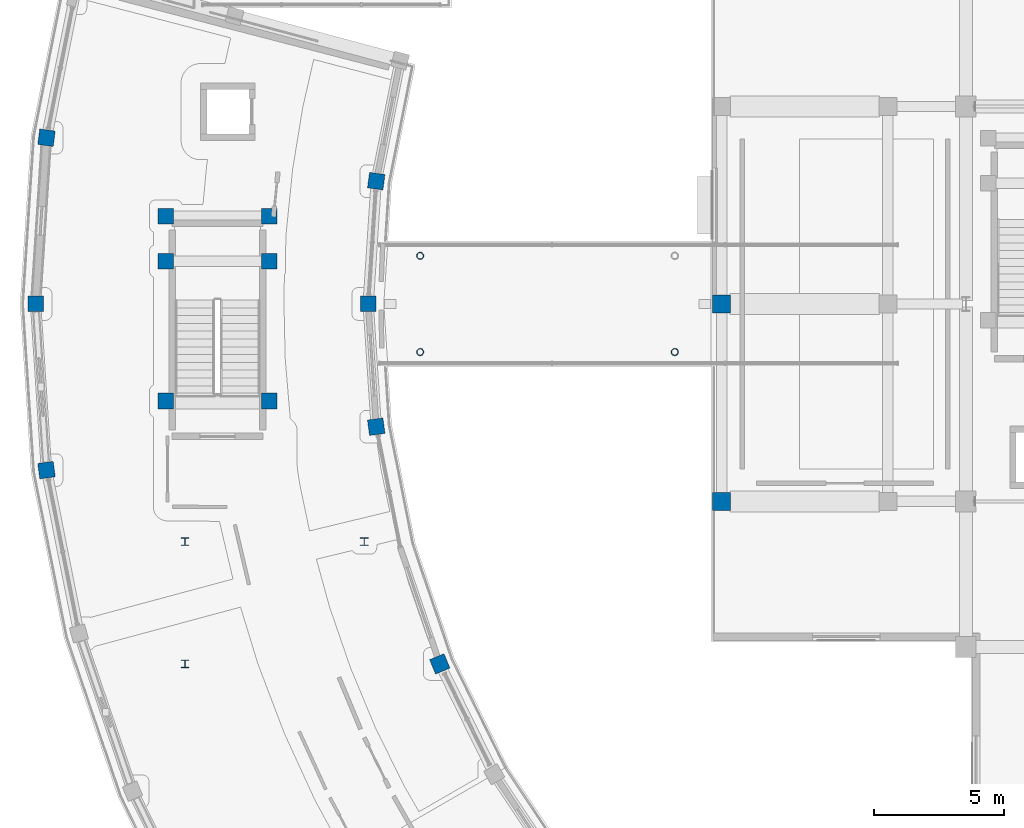
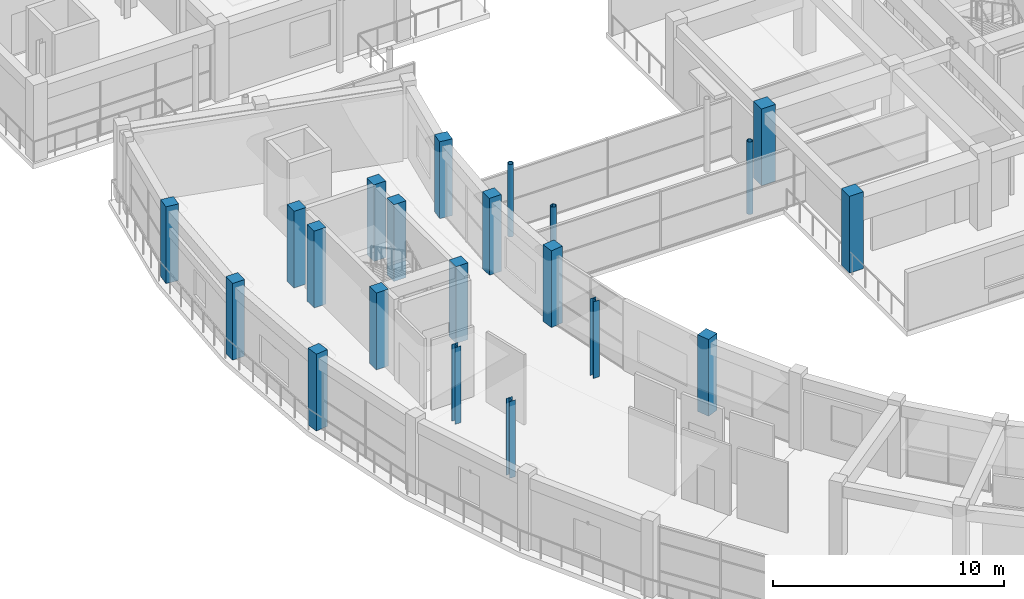
# One storey, part 2 of 70: 21 columns.
"""IFC4 building model written with IfcOpenShell, lengths in metres."""

import ifcopenshell
import ifcopenshell.guid

model = None  # the IFC model being written
_history = None  # IfcOwnerHistory: only IFC2X3 demands one
_inside = {}  # id of a spatial element -> (the spatial element, [elements in it])
_under = {}  # id of a project, library or spatial element -> (it, [spatial elements below it])
_declared = {}  # id of a project -> (the project, [libraries it declares])
_typed = {}  # id of a type object -> (the type object, [elements of that type])
_made_of = {}  # id of a material, layer set ... -> (it, [elements and type objects made of it])


def new_model(schema):
    """Start an empty IFC model of exactly this schema.

    Asked for "IFC4X3", IfcOpenShell would pick the latest addendum, in which some entities
    have other attributes; the version numbers below select the first issue.
    IFC2X3 requires an IfcOwnerHistory on every rooted entity: one is made here for all.
    """
    global model, _history
    if schema == "IFC4X3":
        model = ifcopenshell.file(schema_version=(4, 3, 0, 0))
    else:
        model = ifcopenshell.file(schema=schema)
    _inside.clear()
    _under.clear()
    _declared.clear()
    _typed.clear()
    _made_of.clear()
    _history = None
    if model.schema == "IFC2X3":
        org = make("IfcOrganization", Name="unknown")
        user = make(
            "IfcPersonAndOrganization",
            ThePerson=make("IfcPerson", FamilyName="unknown"),
            TheOrganization=org,
        )
        app = make(
            "IfcApplication",
            ApplicationDeveloper=org,
            Version="unknown",
            ApplicationFullName="unknown",
            ApplicationIdentifier="unknown",
        )
        _history = make(
            "IfcOwnerHistory",
            OwningUser=user,
            OwningApplication=app,
            ChangeAction="ADDED",
            CreationDate=0,
        )
    return model


def make(cls, **values):
    """One entity of the class cls with the attributes given. An attribute that is None is left unset."""
    return model.create_entity(
        cls, **{name: value for name, value in values.items() if value is not None}
    )


def rooted(cls, **values):
    """An entity with a GlobalId (a new one), such as an element, a storey or a relation."""
    return make(cls, GlobalId=ifcopenshell.guid.new(), OwnerHistory=_history, **values)


def si_unit(unit_type, name, prefix=None):
    """IfcSIUnit, for example si_unit("LENGTHUNIT", "METRE", prefix="MILLI")."""
    return make("IfcSIUnit", UnitType=unit_type, Prefix=prefix, Name=name)


def assignment(units):
    """IfcUnitAssignment: the units of a project."""
    return None if units is None else make("IfcUnitAssignment", Units=units)


def point(xyz):
    """IfcCartesianPoint."""
    return None if xyz is None else make("IfcCartesianPoint", Coordinates=xyz)


def direction(xyz):
    """IfcDirection."""
    return None if xyz is None else make("IfcDirection", DirectionRatios=xyz)


def frame(location, z_axis=None, x_axis=None):
    """IfcAxis2Placement3D, a coordinate frame: its origin and axes. An axis left out is left unset."""
    return make(
        "IfcAxis2Placement3D",
        Location=point(location),
        Axis=direction(z_axis),
        RefDirection=direction(x_axis),
    )


def frame_2d(location, x_axis=None):
    """IfcAxis2Placement2D, a coordinate frame in the plane: its origin and x axis."""
    return make(
        "IfcAxis2Placement2D", Location=point(location), RefDirection=direction(x_axis)
    )


def origin():
    """The frame at (0, 0, 0) with its axes left unset."""
    return frame((0.0, 0.0, 0.0))


def origin_2d():
    """The frame at (0, 0) in the plane with its x axis left unset."""
    return frame_2d((0.0, 0.0))


def place(relative_to, where):
    """IfcLocalPlacement: puts the frame where relative to a parent placement (None: the world)."""
    return make(
        "IfcLocalPlacement", PlacementRelTo=relative_to, RelativePlacement=where
    )


def context(
    kind, dimensions, precision=None, world=None, true_north=None, identifier=None
):
    """IfcGeometricRepresentationContext, for example the 3D "Model" context."""
    return make(
        "IfcGeometricRepresentationContext",
        ContextIdentifier=identifier,
        ContextType=kind,
        CoordinateSpaceDimension=dimensions,
        Precision=precision,
        WorldCoordinateSystem=world,
        TrueNorth=true_north,
    )


def subcontext(parent, identifier, kind, view, scale=None):
    """IfcGeometricRepresentationSubContext, for example "Body" below "Model"."""
    return make(
        "IfcGeometricRepresentationSubContext",
        ContextIdentifier=identifier,
        ContextType=kind,
        ParentContext=parent,
        TargetScale=scale,
        TargetView=view,
    )


def project(units=None, contexts=None):
    """IfcProject with its units and contexts."""
    return rooted(
        "IfcProject",
        Name="project",
        RepresentationContexts=contexts,
        UnitsInContext=assignment(units),
    )


def spatial(cls, under=None, at=None, **own):
    """A site, building, storey or space (cls), placed at a placement, below another one or the project."""
    s = rooted(cls, ObjectPlacement=at, **own)
    if under is not None:
        _under.setdefault(under.id(), (under, []))[1].append(s)
    return s


def profile(cls, at=None, kind="AREA", **sizes):
    """A parametric profile (cls). Its sizes go by their IFC names, for example OverallWidth=200.0."""
    return make(cls, ProfileType=kind, Position=at, **sizes)


def rectangle(**sizes):
    """IfcRectangleProfileDef."""
    return profile("IfcRectangleProfileDef", **sizes)


def hollow_circle(**sizes):
    """IfcCircleHollowProfileDef."""
    return profile("IfcCircleHollowProfileDef", **sizes)


def i_section(**sizes):
    """IfcIShapeProfileDef."""
    return profile("IfcIShapeProfileDef", **sizes)


def extrude(swept, where, along, depth):
    """IfcExtrudedAreaSolid: the profile swept, set in the frame where, extruded along a direction by depth."""
    return make(
        "IfcExtrudedAreaSolid",
        SweptArea=swept,
        Position=where,
        ExtrudedDirection=direction(along),
        Depth=depth,
    )


def shape(context_of_items, identifier, shape_type, items):
    """IfcShapeRepresentation: the items that make up one representation, for example the "Body"."""
    return make(
        "IfcShapeRepresentation",
        ContextOfItems=context_of_items,
        RepresentationIdentifier=identifier,
        RepresentationType=shape_type,
        Items=items,
    )


def material(Name=None, Category=None):
    """IfcMaterial."""
    return make("IfcMaterial", Name=Name, Category=Category)


def material_profile(
    of_material, cross_section, Name=None, Category=None, Priority=None
):
    """IfcMaterialProfile: a cross section and its material."""
    return make(
        "IfcMaterialProfile",
        Name=Name,
        Material=of_material,
        Profile=cross_section,
        Priority=Priority,
        Category=Category,
    )


def profile_set(profiles, Name=None, composite=None):
    """IfcMaterialProfileSet."""
    return make(
        "IfcMaterialProfileSet",
        Name=Name,
        MaterialProfiles=profiles,
        CompositeProfile=composite,
    )


def made_of(thing, what):
    """Note that an element or type object is made of a material, layer set ...; save() writes the relation."""
    if what is not None:
        _made_of.setdefault(what.id(), (what, []))[1].append(thing)
    return thing


def type_object(cls, material=None, **own):
    """A type object (cls), such as IfcWallType, which elements share."""
    return made_of(rooted(cls, **own), material)


def element(
    cls,
    number,
    at=None,
    inside=None,
    cuts=None,
    type_object=None,
    material=None,
    context=None,
    identifier="Body",
    shape_type=None,
    held_by="IfcProductDefinitionShape",
    body=None,
    shapes=None,
    **own,
):
    """One element of the class cls, such as IfcWall. Its Tag is "e" and its number.

    at: its placement. inside: the storey or other place that contains it. cuts: it is an
    opening in that element (IfcRelVoidsElement). A single representation is given by context,
    identifier, shape_type and body (its items); several are given by shapes. held_by: the class
    of the entity that holds the representations. save() writes the other relations.
    """
    e = rooted(cls, Tag="e%d" % number, ObjectPlacement=at, **own)
    if body is not None:
        shapes = [shape(context, identifier, shape_type, body)]
    if shapes is not None:
        e.Representation = make(held_by, Representations=shapes)
    if inside is not None:
        _inside.setdefault(inside.id(), (inside, []))[1].append(e)
    if cuts is not None:
        rooted(
            "IfcRelVoidsElement", RelatingBuildingElement=cuts, RelatedOpeningElement=e
        )
    if type_object is not None:
        _typed.setdefault(type_object.id(), (type_object, []))[1].append(e)
    return made_of(e, material)


def aggregate(whole, parts):
    """IfcRelAggregates: a whole, such as a stair, and the parts it consists of."""
    return rooted("IfcRelAggregates", RelatingObject=whole, RelatedObjects=parts)


def save(model, path):
    """Write the relations noted so far, then the file.

    IfcRelAggregates (storeys below a building ...), IfcRelContainedInSpatialStructure (elements
    in a storey), IfcRelDefinesByType, IfcRelAssociatesMaterial and IfcRelDeclares: one each for
    every whole, place, type object, material and project.
    """
    for whole, parts in _under.values():
        aggregate(whole, parts)
    for where, things in _inside.values():
        rooted(
            "IfcRelContainedInSpatialStructure",
            RelatedElements=things,
            RelatingStructure=where,
        )
    for kind, things in _typed.values():
        rooted("IfcRelDefinesByType", RelatedObjects=things, RelatingType=kind)
    for what, things in _made_of.values():
        rooted("IfcRelAssociatesMaterial", RelatedObjects=things, RelatingMaterial=what)
    for by, libraries in _declared.values():
        rooted("IfcRelDeclares", RelatingContext=by, RelatedDefinitions=libraries)
    model.write(path)


model = new_model("IFC4")

# Units and contexts
model_context = context("Model", 3, precision=1e-05, world=origin(), true_north=direction((0.0, 1.0)))
body_context = subcontext(model_context, "Body", "Model", "MODEL_VIEW")
ifc_project = project(units=[si_unit("LENGTHUNIT", "METRE"), si_unit("AREAUNIT", "SQUARE_METRE"), si_unit("VOLUMEUNIT", "CUBIC_METRE"), si_unit("PLANEANGLEUNIT", "RADIAN"), si_unit("MASSUNIT", "GRAM", prefix="KILO")], contexts=[model_context])

# Site, building, storey
site_placement = place(None, origin())
site = spatial("IfcSite", under=ifc_project, at=site_placement, CompositionType="ELEMENT")
building_placement = place(site_placement, origin())
building = spatial("IfcBuilding", under=site, at=building_placement, Name="Saryqyr Civic Hall", CompositionType="ELEMENT")
storey_placement = place(building_placement, frame((0.0, 0.0, 13.199951171875)))
storey = spatial("IfcBuildingStorey", under=building, at=storey_placement, Name="L03", CompositionType="ELEMENT", Elevation=13.199951171875)

# Columns
ifc_material_1 = material(Name="Steel S355", Category="steel")
ifc_material_profile_1 = material_profile(ifc_material_1, hollow_circle(Radius=0.136474609375, WallThickness=0.01611328125, at=origin_2d()), Name="CHS 273x16")
ifc_profile_set_1 = profile_set([ifc_material_profile_1], Name="Steel S355")
column_type_1 = type_object("IfcColumnType", Name="STR-COL-CHS273-S355", PredefinedType="COLUMN", material=ifc_profile_set_1)
for number, where, z_axis, x_axis, name in (
    (1, (22.800048828125, 82.14990234375, 0.0), (0.0, 0.0, 1.0), (1.0, 0.0, 0.0), "Column BRCOL-BR-CW-1-L03"),
    (2, (32.60009765625, 82.14990234375, 0.0), (0.0, 0.0, 1.0), (1.0, 0.0, 0.0), "Column BRCOL-BR-CW-2-L03"),
    (3, (22.800048828125, 85.85009765625, 0.0), (0.0, 0.0, 1.0), (1.0, 0.0, 0.0), "Column BRCOL-BR-CW-4-L03"),
):
    element("IfcColumn", number, at=place(storey_placement, frame(where, z_axis=z_axis, x_axis=x_axis)), inside=storey, type_object=column_type_1, Name=name, PredefinedType="COLUMN", context=body_context, shape_type="SweptSolid", body=[
        extrude(hollow_circle(Radius=0.136474609375, WallThickness=0.01611328125, at=origin_2d()), origin(), (0.0, 0.0, 1.0), 3.820068359375),
    ])
ifc_material_profile_2 = material_profile(ifc_material_1, i_section(OverallWidth=0.300048828125, OverallDepth=0.2900390625, WebThickness=0.008544921875, FlangeThickness=0.013916015625, at=origin_2d()), Name="HEA 300")
ifc_profile_set_2 = profile_set([ifc_material_profile_2], Name="Steel S355")
column_type_2 = type_object("IfcColumnType", Name="STR-COL-HEA300-S355", PredefinedType="COLUMN", material=ifc_profile_set_2)
for number, where, z_axis, x_axis, name in (
    (4, (13.75, 70.14990234375, 0.0), (0.0, 0.0, 1.0), (1.0, 0.0, 0.0), "Column RGV4-COL-1-L03"),
    (5, (20.64990234375, 74.85009765625, 0.0), (0.0, 0.0, 1.0), (1.0, 0.0, 0.0), "Column RGV4-COL-3-L03"),
    (6, (13.75, 74.85009765625, 0.0), (0.0, 0.0, 1.0), (1.0, 0.0, 0.0), "Column RGV4-COL-4-L03"),
):
    element("IfcColumn", number, at=place(storey_placement, frame(where, z_axis=z_axis, x_axis=x_axis)), inside=storey, type_object=column_type_2, Name=name, PredefinedType="COLUMN", context=body_context, shape_type="SweptSolid", body=[
        extrude(i_section(OverallWidth=0.300048828125, OverallDepth=0.2900390625, WebThickness=0.008544921875, FlangeThickness=0.013916015625, at=origin_2d()), origin(), (0.0, 0.0, 1.0), 4.050048828125),
    ])
ifc_material_2 = material(Name="Concrete C40/50", Category="concrete")
ifc_material_profile_3 = material_profile(ifc_material_2, rectangle(XDim=0.60009765625, YDim=0.60009765625, at=origin_2d()), Name="RC 600x600")
ifc_profile_set_3 = profile_set([ifc_material_profile_3], Name="Concrete C40/50")
column_type_3 = type_object("IfcColumnType", Name="STR-COL-RC600-C40", PredefinedType="COLUMN", material=ifc_profile_set_3)
for number, where, z_axis, x_axis, name in (
    (7, (21.109619140625, 88.72509765625, 0.0), (0.0, 0.0, 1.0), (-0.991444861374, 0.13052619222, 0.0), "Column V4-COL-IN01-L03"),
    (8, (8.419189453125, 90.395751953125, 0.0), (0.0, 0.0, 1.0), (-0.991444861374, 0.13052619222, 0.0), "Column V4-COL-OUT01-L03"),
    (9, (20.800048828125, 84.0, 0.0), (0.0, 0.0, 1.0), (-1.0, 0.0, 0.0), "Column V4-COL-IN02-L03"),
    (10, (8.0, 84.0, 0.0), (0.0, 0.0, 1.0), (-1.0, 0.0, 0.0), "Column V4-COL-OUT02-L03"),
    (11, (21.109619140625, 79.27490234375, 0.0), (0.0, 0.0, 1.0), (-0.991444861374, -0.13052619222, 0.0), "Column V4-COL-IN03-L03"),
    (12, (8.419189453125, 77.604248046875, 0.0), (0.0, 0.0, 1.0), (-0.991444861374, -0.13052619222, 0.0), "Column V4-COL-OUT03-L03"),
    (13, (23.5556640625, 70.14697265625, 0.0), (0.0, 0.0, 1.0), (-0.923879532511, -0.382683432365, 0.0), "Column V4-COL-IN05-L03"),
    (14, (16.989990234375, 80.264892578125, 0.0), (0.0, 0.0, 1.0), (1.0, 0.0, 0.0), "Column ST-4-SCOL-TRMA-L03"),
    (15, (13.010009765625, 80.264892578125, 0.0), (0.0, 0.0, 1.0), (1.0, 0.0, 0.0), "Column ST-4-SCOL-TRMB-L03"),
    (16, (16.989990234375, 85.64990234375, 0.0), (0.0, 0.0, 1.0), (1.0, 0.0, 0.0), "Column ST-4-SCOL-LND1A-L03"),
    (17, (13.010009765625, 85.64990234375, 0.0), (0.0, 0.0, 1.0), (1.0, 0.0, 0.0), "Column ST-4-SCOL-LND1B-L03"),
    (18, (16.989990234375, 87.3798828125, 0.0), (0.0, 0.0, 1.0), (1.0, 0.0, 0.0), "Column ST-4-SCOL-LND2A-L03"),
    (19, (13.010009765625, 87.3798828125, 0.0), (0.0, 0.0, 1.0), (1.0, 0.0, 0.0), "Column ST-4-SCOL-LND2B-L03"),
):
    element("IfcColumn", number, at=place(storey_placement, frame(where, z_axis=z_axis, x_axis=x_axis)), inside=storey, type_object=column_type_3, Name=name, PredefinedType="COLUMN", context=body_context, shape_type="SweptSolid", body=[
        extrude(rectangle(XDim=0.60009765625, YDim=0.60009765625, at=origin_2d()), origin(), (0.0, 0.0, 1.0), 4.050048828125),
    ])
ifc_material_profile_4 = material_profile(ifc_material_2, rectangle(XDim=0.699951171875, YDim=0.699951171875, at=origin_2d()), Name="RC 700x700")
ifc_profile_set_4 = profile_set([ifc_material_profile_4], Name="Concrete C40/50")
column_type_4 = type_object("IfcColumnType", Name="STR-COL-RC700-C40", PredefinedType="COLUMN", material=ifc_profile_set_4)
for number, where, z_axis, x_axis, name in (
    (20, (34.39990234375, 76.39990234375, 0.0), (0.0, 0.0, 1.0), (1.0, 0.0, 0.0), "Column V1-COL-S1P01-L03"),
    (21, (34.39990234375, 84.0, 0.0), (0.0, 0.0, 1.0), (1.0, 0.0, 0.0), "Column V1-COL-S1P02-L03"),
):
    element("IfcColumn", number, at=place(storey_placement, frame(where, z_axis=z_axis, x_axis=x_axis)), inside=storey, type_object=column_type_4, Name=name, PredefinedType="COLUMN", context=body_context, shape_type="SweptSolid", body=[
        extrude(rectangle(XDim=0.699951171875, YDim=0.699951171875, at=origin_2d()), origin(), (0.0, 0.0, 1.0), 4.050048828125),
    ])

save(model, "model.ifc")
